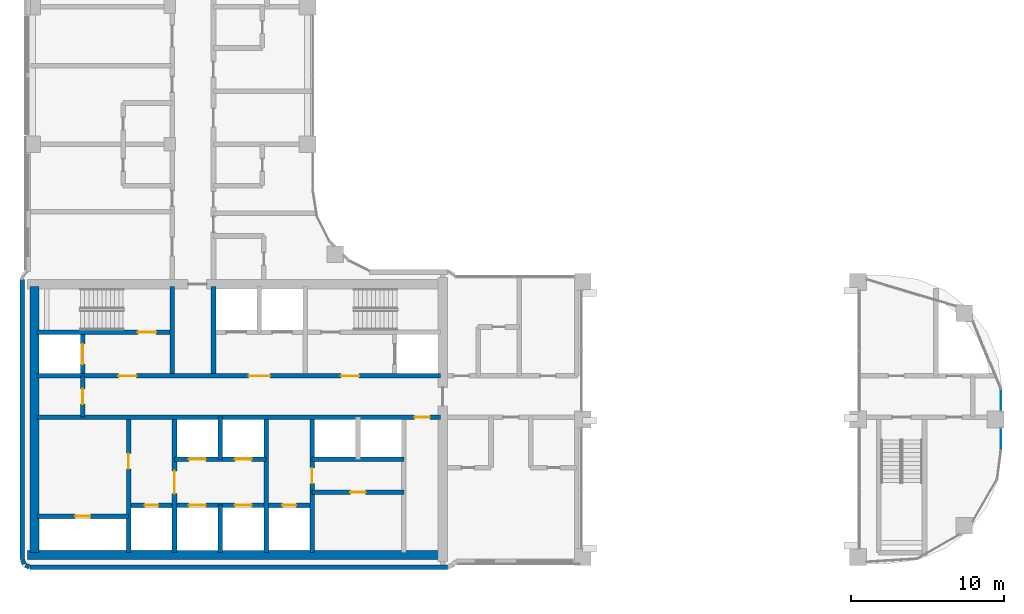
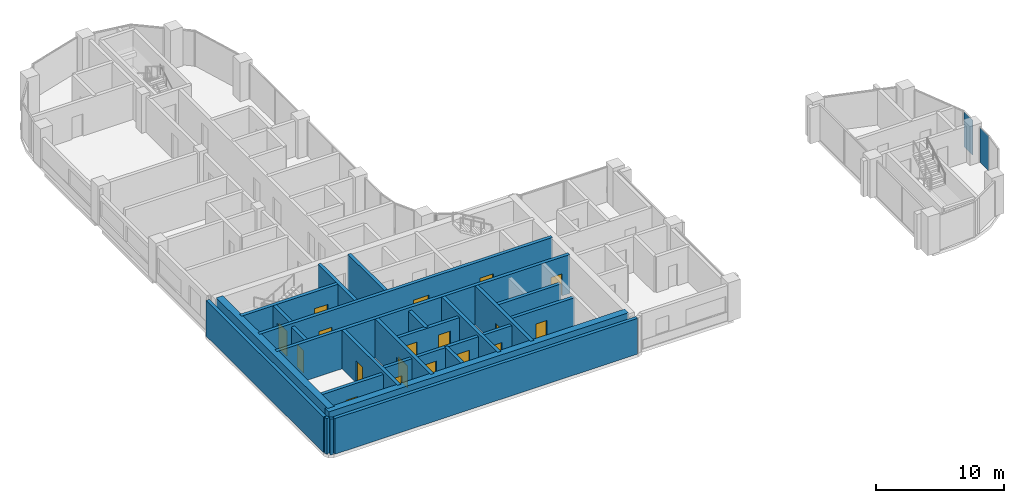
# One storey, part 10 of 21: 24 walls, 18 doors, 2 plates, 18 openings, 2 elements without a shape of their own.
"""IFC4 building model written with IfcOpenShell, lengths in metres."""

from ifc_helpers import new_model, si_unit, direction, frame, frame_2d, origin, origin_2d, place, context, subcontext, project, spatial, rectangle, extrude, material, layer, layer_set, type_object, element, fill, aggregate, save


model = new_model("IFC4")

# Units and contexts
model_context = context("Model", 3, precision=1e-05, world=origin(), true_north=direction((0.0, 1.0)))
body_context = subcontext(model_context, "Body", "Model", "MODEL_VIEW")
ifc_project = project(units=[si_unit("LENGTHUNIT", "METRE"), si_unit("AREAUNIT", "SQUARE_METRE"), si_unit("VOLUMEUNIT", "CUBIC_METRE"), si_unit("PLANEANGLEUNIT", "RADIAN"), si_unit("MASSUNIT", "GRAM", prefix="KILO")], contexts=[model_context])

# Site, building, storey
site_placement = place(None, origin())
site = spatial("IfcSite", under=ifc_project, at=site_placement, CompositionType="ELEMENT")
building_placement = place(site_placement, origin())
building = spatial("IfcBuilding", under=site, at=building_placement, Name="Ogive Portal Towers", CompositionType="ELEMENT")
storey_placement = place(building_placement, frame((0.0, 0.0, 157.0)))
storey = spatial("IfcBuildingStorey", under=building, at=storey_placement, Name="L38", CompositionType="ELEMENT", Elevation=157.0)

# Curtain wall, plate
ifc_material_1 = material(Name="Glass, clear low-iron insulated glazing", Category="glass")
curtain_wall_type = type_object("IfcCurtainWallType", Name="CW FRONT RIBBON 4500", PredefinedType="NOTDEFINED", material=ifc_material_1)
curtain_wall_1_placement = place(storey_placement, origin())
curtain_wall_1 = element("IfcCurtainWall", 1, at=curtain_wall_1_placement, inside=storey, type_object=curtain_wall_type, Name="A:L38:f29:cw0~0", PredefinedType="NOTDEFINED")
ifc_layer_1 = layer(ifc_material_1, 0.028076171875)
ifc_layer_set_1 = layer_set([ifc_layer_1], Name="CW PANEL IGU 28")
plate_type = type_object("IfcPlateType", Name="CW PANEL IGU 28", PredefinedType="CURTAIN_PANEL", material=ifc_layer_set_1)
plate_1_placement = place(storey_placement, frame((94.844970703125, 29.2275390625, 0.0), z_axis=(0.0, 0.0, 1.0), x_axis=(0.0, 1.0, 0.0)))
plate_1 = element("IfcPlate", 2, at=plate_1_placement, type_object=plate_type, Name="panel", PredefinedType="CURTAIN_PANEL", context=body_context, shape_type="SweptSolid", body=[
    extrude(rectangle(XDim=1.384765625, YDim=0.028076171875, at=origin_2d()), origin(), (0.0, 0.0, 1.0), 3.340087890625),
])
aggregate(curtain_wall_1, [plate_1])

curtain_wall_2_placement = place(storey_placement, origin())
curtain_wall_2 = element("IfcCurtainWall", 3, at=curtain_wall_2_placement, inside=storey, type_object=curtain_wall_type, Name="A:L38:f29:cw0~1", PredefinedType="NOTDEFINED")
plate_2_placement = place(storey_placement, frame((94.844970703125, 31.76708984375, 0.0), z_axis=(0.0, 0.0, 1.0), x_axis=(0.0, 1.0, 0.0)))
plate_2 = element("IfcPlate", 4, at=plate_2_placement, type_object=plate_type, Name="panel", PredefinedType="CURTAIN_PANEL", context=body_context, shape_type="SweptSolid", body=[
    extrude(rectangle(XDim=1.3740234375, YDim=0.028076171875, at=origin_2d()), origin(), (0.0, 0.0, 1.0), 3.340087890625),
])
aggregate(curtain_wall_2, [plate_2])

# Wall, opening, door
ifc_material_2 = material(Name="Concrete C60/75", Category="concrete")
ifc_layer_2 = layer(ifc_material_2, 0.300048828125)
ifc_layer_set_2 = layer_set([ifc_layer_2], Name="CORE WALL 300 C60")
wall_type_1 = type_object("IfcWallType", Name="CORE WALL 300 C60", PredefinedType="SHEAR", material=ifc_layer_set_2)
wall_1_placement = place(storey_placement, frame((37.800048828125, 21.800048828125, 0.0), z_axis=(0.0, 0.0, 1.0), x_axis=(0.0, 1.0, 0.0)))
wall_1 = element("IfcWall", 5, at=wall_1_placement, inside=storey, type_object=wall_type_1, Name="Core wall X1 L38", PredefinedType="SHEAR", context=body_context, shape_type="SweptSolid", body=[
    extrude(rectangle(XDim=8.699951171875, YDim=0.300048828125, at=frame_2d((4.35009765625, 0.0))), origin(), (0.0, 0.0, 1.0), 3.699951171875),
])
opening_1_placement = place(wall_1_placement, frame((5.47509765625, 0.0, 0.0)))
opening_1 = element("IfcOpeningElement", 6, at=opening_1_placement, cuts=wall_1, Name="Opening D15-020", PredefinedType="OPENING", context=body_context, shape_type="SweptSolid", body=[
    extrude(rectangle(XDim=1.0, YDim=2.10009765625, at=frame_2d((0.5, 1.050048828125))), frame((0.0, 0.16015625, 0.0), z_axis=(0.0, -1.0, 0.0), x_axis=(1.0, 0.0, 0.0)), (0.0, 0.0, 1.0), 0.320068359375),
])
ifc_material_3 = material(Name="Steel fire door", Category="steel")
door_type_1 = type_object("IfcDoorType", Name="DT-SWING-1000x2100-FD90S", OperationType="SINGLE_SWING_LEFT", PredefinedType="DOOR", material=ifc_material_3)
door_1_placement = place(opening_1_placement, origin())
door_1 = element("IfcDoor", 7, at=door_1_placement, inside=storey, type_object=door_type_1, Name="Door D15-020", OperationType="SINGLE_SWING_LEFT", OverallHeight=2.10009765625, OverallWidth=1.0, PredefinedType="DOOR", context=body_context, shape_type="SweptSolid", body=[
    extrude(rectangle(XDim=1.0, YDim=2.10009765625, at=frame_2d((0.5, 1.050048828125))), frame((0.0, 0.02490234375, 0.0), z_axis=(0.0, -1.0, 0.0), x_axis=(1.0, 0.0, 0.0)), (0.0, 0.0, 1.0), 0.050048828125),
])
fill(opening_1, door_1)

wall_2_placement = place(storey_placement, frame((40.800048828125, 21.800048828125, 0.0), z_axis=(0.0, 0.0, 1.0), x_axis=(0.0, 1.0, 0.0)))
wall_2 = element("IfcWall", 8, at=wall_2_placement, inside=storey, type_object=wall_type_1, Name="Core wall X2 L38", PredefinedType="SHEAR", context=body_context, shape_type="SweptSolid", body=[
    extrude(rectangle(XDim=8.699951171875, YDim=0.300048828125, at=frame_2d((4.35009765625, 0.0))), origin(), (0.0, 0.0, 1.0), 3.699951171875),
])
opening_2_placement = place(wall_2_placement, frame((3.85009765625, 0.0, 0.0)))
opening_2 = element("IfcOpeningElement", 9, at=opening_2_placement, cuts=wall_2, Name="Opening D15-001", PredefinedType="OPENING", context=body_context, shape_type="SweptSolid", body=[
    extrude(rectangle(XDim=1.5, YDim=2.10009765625, at=frame_2d((0.75, 1.050048828125))), frame((0.0, 0.16015625, 0.0), z_axis=(0.0, -1.0, 0.0), x_axis=(1.0, 0.0, 0.0)), (0.0, 0.0, 1.0), 0.320068359375),
])
door_type_2 = type_object("IfcDoorType", Name="DT-SWING-1500x2100-FD90S", OperationType="SINGLE_SWING_LEFT", PredefinedType="DOOR", material=ifc_material_3)
door_2_placement = place(opening_2_placement, origin())
door_2 = element("IfcDoor", 10, at=door_2_placement, inside=storey, type_object=door_type_2, Name="Door D15-001", OperationType="SINGLE_SWING_RIGHT", OverallHeight=2.10009765625, OverallWidth=1.5, PredefinedType="DOOR", context=body_context, shape_type="SweptSolid", body=[
    extrude(rectangle(XDim=1.5, YDim=2.10009765625, at=frame_2d((0.75, 1.050048828125))), frame((0.0, 0.02490234375, 0.0), z_axis=(0.0, -1.0, 0.0), x_axis=(1.0, 0.0, 0.0)), (0.0, 0.0, 1.0), 0.050048828125),
])
fill(opening_2, door_2)

# Wall
wall_3_placement = place(storey_placement, frame((46.800048828125, 21.800048828125, 0.0), z_axis=(0.0, 0.0, 1.0), x_axis=(0.0, 1.0, 0.0)))
element("IfcWall", 11, at=wall_3_placement, inside=storey, type_object=wall_type_1, Name="Core wall X3 L38", PredefinedType="SHEAR", context=body_context, shape_type="SweptSolid", body=[
    extrude(rectangle(XDim=8.699951171875, YDim=0.300048828125, at=frame_2d((4.35009765625, 0.0))), origin(), (0.0, 0.0, 1.0), 3.699951171875),
])

# Wall, opening, door
wall_4_placement = place(storey_placement, frame((49.800048828125, 21.800048828125, 0.0), z_axis=(0.0, 0.0, 1.0), x_axis=(0.0, 1.0, 0.0)))
wall_4 = element("IfcWall", 12, at=wall_4_placement, inside=storey, type_object=wall_type_1, Name="Core wall X4 L38", PredefinedType="SHEAR", context=body_context, shape_type="SweptSolid", body=[
    extrude(rectangle(XDim=8.699951171875, YDim=0.300048828125, at=frame_2d((4.35009765625, 0.0))), origin(), (0.0, 0.0, 1.0), 3.699951171875),
])
opening_3_placement = place(wall_4_placement, frame((4.52490234375, 0.0, 0.0)))
opening_3 = element("IfcOpeningElement", 13, at=opening_3_placement, cuts=wall_4, Name="Opening D15-022", PredefinedType="OPENING", context=body_context, shape_type="SweptSolid", body=[
    extrude(rectangle(XDim=1.0, YDim=2.10009765625, at=frame_2d((0.5, 1.050048828125))), frame((0.0, 0.16015625, 0.0), z_axis=(0.0, -1.0, 0.0), x_axis=(1.0, 0.0, 0.0)), (0.0, 0.0, 1.0), 0.320068359375),
])
door_3_placement = place(opening_3_placement, origin())
door_3 = element("IfcDoor", 14, at=door_3_placement, inside=storey, type_object=door_type_1, Name="Door D15-022", OperationType="SINGLE_SWING_LEFT", OverallHeight=2.10009765625, OverallWidth=1.0, PredefinedType="DOOR", context=body_context, shape_type="SweptSolid", body=[
    extrude(rectangle(XDim=1.0, YDim=2.10009765625, at=frame_2d((0.5, 1.050048828125))), frame((0.0, 0.02490234375, 0.0), z_axis=(0.0, -1.0, 0.0), x_axis=(1.0, 0.0, 0.0)), (0.0, 0.0, 1.0), 0.050048828125),
])
fill(opening_3, door_3)

wall_5_placement = place(storey_placement, frame((31.800048828125, 30.64990234375, 0.0), z_axis=(0.0, 0.0, 1.0), x_axis=(1.0, 0.0, 0.0)))
wall_5 = element("IfcWall", 15, at=wall_5_placement, inside=storey, type_object=wall_type_1, Name="Core wall Y1 L38", PredefinedType="SHEAR", context=body_context, shape_type="SweptSolid", body=[
    extrude(rectangle(XDim=26.39990234375, YDim=0.300048828125, at=frame_2d((13.199951171875, 0.0))), origin(), (0.0, 0.0, 1.0), 3.699951171875),
])
opening_4_placement = place(wall_5_placement, frame((24.699951171875, 0.0, 0.0)))
opening_4 = element("IfcOpeningElement", 16, at=opening_4_placement, cuts=wall_5, Name="Opening D15-009", PredefinedType="OPENING", context=body_context, shape_type="SweptSolid", body=[
    extrude(rectangle(XDim=1.0, YDim=2.10009765625, at=frame_2d((0.5, 1.050048828125))), frame((0.0, 0.16015625, 0.0), z_axis=(0.0, -1.0, 0.0), x_axis=(1.0, 0.0, 0.0)), (0.0, 0.0, 1.0), 0.320068359375),
])
door_4_placement = place(opening_4_placement, origin())
door_4 = element("IfcDoor", 17, at=door_4_placement, inside=storey, type_object=door_type_1, Name="Door D15-009", OperationType="SINGLE_SWING_LEFT", OverallHeight=2.10009765625, OverallWidth=1.0, PredefinedType="DOOR", context=body_context, shape_type="SweptSolid", body=[
    extrude(rectangle(XDim=1.0, YDim=2.10009765625, at=frame_2d((0.5, 1.050048828125))), frame((0.0, 0.02490234375, 0.0), z_axis=(0.0, -1.0, 0.0), x_axis=(1.0, 0.0, 0.0)), (0.0, 0.0, 1.0), 0.050048828125),
])
fill(opening_4, door_4)

# Wall, openings, doors
wall_6_placement = place(storey_placement, frame((31.800048828125, 33.35009765625, 0.0), z_axis=(0.0, 0.0, 1.0), x_axis=(1.0, 0.0, 0.0)))
wall_6 = element("IfcWall", 18, at=wall_6_placement, inside=storey, type_object=wall_type_1, Name="Core wall Y2 L38", PredefinedType="SHEAR", context=body_context, shape_type="SweptSolid", body=[
    extrude(rectangle(XDim=26.39990234375, YDim=0.300048828125, at=frame_2d((13.199951171875, 0.0))), origin(), (0.0, 0.0, 1.0), 3.699951171875),
])
opening_5_placement = place(wall_6_placement, frame((13.85009765625, 0.0, 0.0)))
opening_5 = element("IfcOpeningElement", 19, at=opening_5_placement, cuts=wall_6, Name="Opening D15-002", PredefinedType="OPENING", context=body_context, shape_type="SweptSolid", body=[
    extrude(rectangle(XDim=1.39990234375, YDim=2.10009765625, at=frame_2d((0.699951171875, 1.050048828125))), frame((0.0, 0.16015625, 0.0), z_axis=(0.0, -1.0, 0.0), x_axis=(1.0, 0.0, 0.0)), (0.0, 0.0, 1.0), 0.320068359375),
])
opening_6_placement = place(wall_6_placement, frame((5.324951171875, 0.0, 0.0)))
opening_6 = element("IfcOpeningElement", 20, at=opening_6_placement, cuts=wall_6, Name="Opening D15-003", PredefinedType="OPENING", context=body_context, shape_type="SweptSolid", body=[
    extrude(rectangle(XDim=1.199951171875, YDim=2.10009765625, at=frame_2d((0.60009765625, 1.050048828125))), frame((0.0, 0.16015625, 0.0), z_axis=(0.0, -1.0, 0.0), x_axis=(1.0, 0.0, 0.0)), (0.0, 0.0, 1.0), 0.320068359375),
])
opening_7_placement = place(wall_6_placement, frame((19.875, 0.0, 0.0)))
opening_7 = element("IfcOpeningElement", 21, at=opening_7_placement, cuts=wall_6, Name="Opening D15-004", PredefinedType="OPENING", context=body_context, shape_type="SweptSolid", body=[
    extrude(rectangle(XDim=1.199951171875, YDim=2.10009765625, at=frame_2d((0.60009765625, 1.050048828125))), frame((0.0, 0.16015625, 0.0), z_axis=(0.0, -1.0, 0.0), x_axis=(1.0, 0.0, 0.0)), (0.0, 0.0, 1.0), 0.320068359375),
])
door_type_3 = type_object("IfcDoorType", Name="DT-SWING-1200x2100-FD90S", OperationType="SINGLE_SWING_LEFT", PredefinedType="DOOR", material=ifc_material_3)
door_5_placement = place(opening_6_placement, origin())
door_5 = element("IfcDoor", 22, at=door_5_placement, inside=storey, type_object=door_type_3, Name="Door D15-003", OperationType="SINGLE_SWING_LEFT", OverallHeight=2.10009765625, OverallWidth=1.199951171875, PredefinedType="DOOR", context=body_context, shape_type="SweptSolid", body=[
    extrude(rectangle(XDim=1.199951171875, YDim=2.10009765625, at=frame_2d((0.60009765625, 1.050048828125))), frame((0.0, 0.02490234375, 0.0), z_axis=(0.0, -1.0, 0.0), x_axis=(1.0, 0.0, 0.0)), (0.0, 0.0, 1.0), 0.050048828125),
])
fill(opening_6, door_5)
door_6_placement = place(opening_7_placement, origin())
door_6 = element("IfcDoor", 23, at=door_6_placement, inside=storey, type_object=door_type_3, Name="Door D15-004", OperationType="SINGLE_SWING_RIGHT", OverallHeight=2.10009765625, OverallWidth=1.199951171875, PredefinedType="DOOR", context=body_context, shape_type="SweptSolid", body=[
    extrude(rectangle(XDim=1.199951171875, YDim=2.10009765625, at=frame_2d((0.60009765625, 1.050048828125))), frame((0.0, 0.02490234375, 0.0), z_axis=(0.0, -1.0, 0.0), x_axis=(1.0, 0.0, 0.0)), (0.0, 0.0, 1.0), 0.050048828125),
])
fill(opening_7, door_6)
door_type_4 = type_object("IfcDoorType", Name="DT-SWING-1400x2100-FD90S", OperationType="SINGLE_SWING_LEFT", PredefinedType="DOOR", material=ifc_material_3)
door_7_placement = place(opening_5_placement, origin())
door_7 = element("IfcDoor", 24, at=door_7_placement, inside=storey, type_object=door_type_4, Name="Door D15-002", OperationType="SINGLE_SWING_RIGHT", OverallHeight=2.10009765625, OverallWidth=1.39990234375, PredefinedType="DOOR", context=body_context, shape_type="SweptSolid", body=[
    extrude(rectangle(XDim=1.39990234375, YDim=2.10009765625, at=frame_2d((0.699951171875, 1.050048828125))), frame((0.0, 0.02490234375, 0.0), z_axis=(0.0, -1.0, 0.0), x_axis=(1.0, 0.0, 0.0)), (0.0, 0.0, 1.0), 0.050048828125),
])
fill(opening_5, door_7)

# Wall, opening, door
wall_7_placement = place(storey_placement, frame((31.800048828125, 36.199951171875, 0.0), z_axis=(0.0, 0.0, 1.0), x_axis=(1.0, 0.0, 0.0)))
wall_7 = element("IfcWall", 25, at=wall_7_placement, inside=storey, type_object=wall_type_1, Name="Core wall Y3a L38", PredefinedType="SHEAR", context=body_context, shape_type="SweptSolid", body=[
    extrude(rectangle(XDim=8.699951171875, YDim=0.300048828125, at=frame_2d((4.35009765625, 0.0))), origin(), (0.0, 0.0, 1.0), 3.699951171875),
])
opening_8_placement = place(wall_7_placement, frame((6.60009765625, 0.0, 0.0)))
opening_8 = element("IfcOpeningElement", 26, at=opening_8_placement, cuts=wall_7, Name="Opening D15-005", PredefinedType="OPENING", context=body_context, shape_type="SweptSolid", body=[
    extrude(rectangle(XDim=1.199951171875, YDim=2.10009765625, at=frame_2d((0.60009765625, 1.050048828125))), frame((0.0, 0.16015625, 0.0), z_axis=(0.0, -1.0, 0.0), x_axis=(1.0, 0.0, 0.0)), (0.0, 0.0, 1.0), 0.320068359375),
])
door_8_placement = place(opening_8_placement, origin())
door_8 = element("IfcDoor", 27, at=door_8_placement, inside=storey, type_object=door_type_3, Name="Door D15-005", OperationType="SINGLE_SWING_RIGHT", OverallHeight=2.10009765625, OverallWidth=1.199951171875, PredefinedType="DOOR", context=body_context, shape_type="SweptSolid", body=[
    extrude(rectangle(XDim=1.199951171875, YDim=2.10009765625, at=frame_2d((0.60009765625, 1.050048828125))), frame((0.0, 0.02490234375, 0.0), z_axis=(0.0, -1.0, 0.0), x_axis=(1.0, 0.0, 0.0)), (0.0, 0.0, 1.0), 0.050048828125),
])
fill(opening_8, door_8)

# Walls
for number, where, z_axis, x_axis, name in (
    (28, (40.64990234375, 33.5, 0.0), (0.0, 0.0, 1.0), (0.0, 1.0, 0.0), "Core wall X6 L38"),
    (29, (43.35009765625, 33.5, 0.0), (0.0, 0.0, 1.0), (0.0, 1.0, 0.0), "Core wall X7 L38"),
):
    element("IfcWall", number, at=place(storey_placement, frame(where, z_axis=z_axis, x_axis=x_axis)), inside=storey, type_object=wall_type_1, Name=name, PredefinedType="SHEAR", context=body_context, shape_type="SweptSolid", body=[
        extrude(rectangle(XDim=5.699951171875, YDim=0.300048828125, at=frame_2d((2.85009765625, 0.0))), origin(), (0.0, 0.0, 1.0), 3.699951171875),
    ])

# Wall, opening, door
wall_8_placement = place(storey_placement, frame((34.800048828125, 33.5, 0.0), z_axis=(0.0, 0.0, 1.0), x_axis=(0.0, 1.0, 0.0)))
wall_8 = element("IfcWall", 30, at=wall_8_placement, inside=storey, type_object=wall_type_1, Name="Core wall X8 L38", PredefinedType="SHEAR", context=body_context, shape_type="SweptSolid", body=[
    extrude(rectangle(XDim=2.550048828125, YDim=0.300048828125, at=frame_2d((1.27490234375, 0.0))), origin(), (0.0, 0.0, 1.0), 3.699951171875),
])
opening_9_placement = place(wall_8_placement, frame((0.625, 0.0, 0.0)))
opening_9 = element("IfcOpeningElement", 31, at=opening_9_placement, cuts=wall_8, Name="Opening D15-018", PredefinedType="OPENING", context=body_context, shape_type="SweptSolid", body=[
    extrude(rectangle(XDim=1.300048828125, YDim=2.39990234375, at=frame_2d((0.64990234375, 1.199951171875))), frame((0.0, 0.16015625, 0.0), z_axis=(0.0, -1.0, 0.0), x_axis=(1.0, 0.0, 0.0)), (0.0, 0.0, 1.0), 0.320068359375),
])
ifc_material_4 = material(Name="Stainless steel", Category="steel")
door_type_5 = type_object("IfcDoorType", Name="DT-LD-1300x2400", OperationType="SLIDING_TO_LEFT", PredefinedType="DOOR", material=ifc_material_4)
door_9_placement = place(opening_9_placement, origin())
door_9 = element("IfcDoor", 32, at=door_9_placement, inside=storey, type_object=door_type_5, Name="Door D15-018", OperationType="SLIDING_TO_LEFT", OverallHeight=2.39990234375, OverallWidth=1.300048828125, PredefinedType="DOOR", context=body_context, shape_type="SweptSolid", body=[
    extrude(rectangle(XDim=1.300048828125, YDim=2.39990234375, at=frame_2d((0.64990234375, 1.199951171875))), frame((0.0, 0.02490234375, 0.0), z_axis=(0.0, -1.0, 0.0), x_axis=(1.0, 0.0, 0.0)), (0.0, 0.0, 1.0), 0.050048828125),
])
fill(opening_9, door_9)

# Walls
ifc_layer_3 = layer(ifc_material_2, 0.60009765625)
ifc_layer_set_3 = layer_set([ifc_layer_3], Name="CORE WALL 600 C60")
wall_type_2 = type_object("IfcWallType", Name="CORE WALL 600 C60", PredefinedType="SHEAR", material=ifc_layer_set_3)
wall_9_placement = place(storey_placement, frame((31.64990234375, 21.800048828125, 0.0), z_axis=(0.0, 0.0, 1.0), x_axis=(0.0, 1.0, 0.0)))
element("IfcWall", 33, at=wall_9_placement, inside=storey, type_object=wall_type_2, Name="Core wall W L38", PredefinedType="SHEAR", context=body_context, shape_type="SweptSolid", body=[
    extrude(rectangle(XDim=17.39990234375, YDim=0.60009765625, at=frame_2d((8.699951171875, 0.0))), origin(), (0.0, 0.0, 1.0), 3.699951171875),
])
wall_10_placement = place(storey_placement, frame((31.199951171875, 21.64990234375, 0.0), z_axis=(0.0, 0.0, 1.0), x_axis=(1.0, 0.0, 0.0)))
element("IfcWall", 34, at=wall_10_placement, inside=storey, type_object=wall_type_2, Name="Core wall S L38", PredefinedType="SHEAR", context=body_context, shape_type="SweptSolid", body=[
    extrude(rectangle(XDim=27.0, YDim=0.60009765625, at=frame_2d((13.5, 0.0))), origin(), (0.0, 0.0, 1.0), 3.699951171875),
])
ifc_material_5 = material(Name="Limestone cladding on lightweight block wall", Category="masonry")
ifc_layer_4 = layer(ifc_material_5, 0.300048828125)
ifc_layer_set_4 = layer_set([ifc_layer_4], Name="EXTERNAL WALL 300 STONE")
wall_type_3 = type_object("IfcWallType", Name="EXTERNAL WALL 300 STONE", PredefinedType="SOLIDWALL", material=ifc_layer_set_4)
wall_11_placement = place(storey_placement, frame((30.85009765625, 39.673583984375, 0.0), z_axis=(0.0, 0.0, 1.0), x_axis=(0.0, -1.0, 0.0)))
element("IfcWall", 35, at=wall_11_placement, inside=storey, type_object=wall_type_3, Name="A:L38:f15:r0:wall", PredefinedType="SOLIDWALL", context=body_context, shape_type="SweptSolid", body=[
    extrude(rectangle(XDim=18.31396484375, YDim=0.300048828125, at=frame_2d((9.156982421875, 0.0))), origin(), (0.0, 0.0, 1.0), 3.39990234375),
])
for number, where, z_axis, x_axis, name in (
    (36, (30.861328125, 21.30224609375, 0.0), (0.0, 0.0, 1.0), (0.38297812142, -0.923757413239, 0.0), "A:L38:f16:r0:wall"),
    (37, (31.0478515625, 20.966796875, 0.0), (0.0, 0.0, 1.0), (0.923757413239, -0.38297812142, 0.0), "A:L38:f17:r0:wall"),
):
    element("IfcWall", number, at=place(storey_placement, frame(where, z_axis=z_axis, x_axis=x_axis)), inside=storey, type_object=wall_type_3, Name=name, PredefinedType="SOLIDWALL", context=body_context, shape_type="SweptSolid", body=[
        extrude(rectangle(XDim=0.275390625, YDim=0.300048828125, at=frame_2d((0.1376953125, 0.0))), origin(), (0.0, 0.0, 1.0), 3.39990234375),
    ])
wall_12_placement = place(storey_placement, frame((31.359619140625, 20.85009765625, 0.0), z_axis=(0.0, 0.0, 1.0), x_axis=(1.0, 0.0, 0.0)))
element("IfcWall", 38, at=wall_12_placement, inside=storey, type_object=wall_type_3, Name="A:L38:f18:r0:wall", PredefinedType="SOLIDWALL", context=body_context, shape_type="SweptSolid", body=[
    extrude(rectangle(XDim=27.28076171875, YDim=0.300048828125, at=frame_2d((13.640380859375, 0.0))), origin(), (0.0, 0.0, 1.0), 3.39990234375),
])

# Wall, opening, door
ifc_material_6 = material(Name="Gypsum board partition on steel studs", Category="steel")
ifc_layer_5 = layer(ifc_material_6, 0.300048828125)
ifc_layer_set_5 = layer_set([ifc_layer_5], Name="WT-PART-300")
wall_type_4 = type_object("IfcWallType", Name="WT-PART-300", PredefinedType="PARTITIONING", material=ifc_layer_set_5)
wall_13_placement = place(storey_placement, frame((31.800048828125, 24.173095703125, 0.0), z_axis=(0.0, 0.0, 1.0), x_axis=(1.0, 0.0, 0.0)))
wall_13 = element("IfcWall", 39, at=wall_13_placement, inside=storey, type_object=wall_type_4, Name="Wall pw:001:L38", PredefinedType="PARTITIONING", context=body_context, shape_type="SweptSolid", body=[
    extrude(rectangle(XDim=6.0, YDim=0.300048828125, at=frame_2d((3.0, 0.0))), origin(), (0.0, 0.0, 1.0), 3.39990234375),
])
opening_10_placement = place(wall_13_placement, frame((2.5, 0.0, 0.0)))
opening_10 = element("IfcOpeningElement", 40, at=opening_10_placement, cuts=wall_13, Name="Opening D15-021", PredefinedType="OPENING", context=body_context, shape_type="SweptSolid", body=[
    extrude(rectangle(XDim=1.0, YDim=2.10009765625, at=frame_2d((0.5, 1.050048828125))), frame((0.0, 0.16015625, 0.0), z_axis=(0.0, -1.0, 0.0), x_axis=(1.0, 0.0, 0.0)), (0.0, 0.0, 1.0), 0.320068359375),
])
door_type_6 = type_object("IfcDoorType", Name="DT-SWING-1000x2100-FD60S", OperationType="SINGLE_SWING_LEFT", PredefinedType="DOOR", material=ifc_material_3)
door_10_placement = place(opening_10_placement, origin())
door_10 = element("IfcDoor", 41, at=door_10_placement, inside=storey, type_object=door_type_6, Name="Riser access door D15-021", OperationType="SINGLE_SWING_RIGHT", OverallHeight=2.10009765625, OverallWidth=1.0, PredefinedType="DOOR", context=body_context, shape_type="SweptSolid", body=[
    extrude(rectangle(XDim=1.0, YDim=2.10009765625, at=frame_2d((0.5, 1.050048828125))), frame((0.0, 0.02490234375, 0.0), z_axis=(0.0, -1.0, 0.0), x_axis=(1.0, 0.0, 0.0)), (0.0, 0.0, 1.0), 0.050048828125),
])
fill(opening_10, door_10)

wall_14_placement = place(storey_placement, frame((49.800048828125, 25.75, 0.0), z_axis=(0.0, 0.0, 1.0), x_axis=(1.0, 0.0, 0.0)))
wall_14 = element("IfcWall", 42, at=wall_14_placement, inside=storey, type_object=wall_type_4, Name="Wall pw:003:L38", PredefinedType="PARTITIONING", context=body_context, shape_type="SweptSolid", body=[
    extrude(rectangle(XDim=6.0, YDim=0.300048828125, at=frame_2d((3.0, 0.0))), origin(), (0.0, 0.0, 1.0), 3.39990234375),
])
opening_11_placement = place(wall_14_placement, frame((2.5, 0.0, 0.0)))
opening_11 = element("IfcOpeningElement", 43, at=opening_11_placement, cuts=wall_14, Name="Opening D15-023", PredefinedType="OPENING", context=body_context, shape_type="SweptSolid", body=[
    extrude(rectangle(XDim=1.0, YDim=2.10009765625, at=frame_2d((0.5, 1.050048828125))), frame((0.0, 0.16015625, 0.0), z_axis=(0.0, -1.0, 0.0), x_axis=(1.0, 0.0, 0.0)), (0.0, 0.0, 1.0), 0.320068359375),
])
door_11_placement = place(opening_11_placement, origin())
door_11 = element("IfcDoor", 44, at=door_11_placement, inside=storey, type_object=door_type_6, Name="Door D15-023", OperationType="SINGLE_SWING_RIGHT", OverallHeight=2.10009765625, OverallWidth=1.0, PredefinedType="DOOR", context=body_context, shape_type="SweptSolid", body=[
    extrude(rectangle(XDim=1.0, YDim=2.10009765625, at=frame_2d((0.5, 1.050048828125))), frame((0.0, 0.02490234375, 0.0), z_axis=(0.0, -1.0, 0.0), x_axis=(1.0, 0.0, 0.0)), (0.0, 0.0, 1.0), 0.050048828125),
])
fill(opening_11, door_11)

# Wall, openings, doors
ifc_material_7 = material(Name="Concrete C40/50", Category="concrete")
ifc_layer_6 = layer(ifc_material_7, 0.300048828125)
ifc_layer_set_6 = layer_set([ifc_layer_6], Name="WT-SHAFT-300")
wall_type_5 = type_object("IfcWallType", Name="WT-SHAFT-300", PredefinedType="SOLIDWALL", material=ifc_layer_set_6)
wall_15_placement = place(storey_placement, frame((37.800048828125, 24.89990234375, 0.0), z_axis=(0.0, 0.0, 1.0), x_axis=(1.0, 0.0, 0.0)))
wall_15 = element("IfcWall", 45, at=wall_15_placement, inside=storey, type_object=wall_type_5, Name="Wall pw:002:L38", PredefinedType="SOLIDWALL", context=body_context, shape_type="SweptSolid", body=[
    extrude(rectangle(XDim=12.0, YDim=0.300048828125, at=frame_2d((6.0, 0.0))), origin(), (0.0, 0.0, 1.0), 3.39990234375),
])
opening_12_placement = place(wall_15_placement, frame((1.050048828125, 0.0, 0.0)))
opening_12 = element("IfcOpeningElement", 46, at=opening_12_placement, cuts=wall_15, Name="Opening D15-007", PredefinedType="OPENING", context=body_context, shape_type="SweptSolid", body=[
    extrude(rectangle(XDim=0.89990234375, YDim=2.10009765625, at=frame_2d((0.449951171875, 1.050048828125))), frame((0.0, 0.16015625, 0.0), z_axis=(0.0, -1.0, 0.0), x_axis=(1.0, 0.0, 0.0)), (0.0, 0.0, 1.0), 0.320068359375),
])
opening_13_placement = place(wall_15_placement, frame((10.050048828125, 0.0, 0.0)))
opening_13 = element("IfcOpeningElement", 47, at=opening_13_placement, cuts=wall_15, Name="Opening D15-008", PredefinedType="OPENING", context=body_context, shape_type="SweptSolid", body=[
    extrude(rectangle(XDim=0.89990234375, YDim=2.10009765625, at=frame_2d((0.449951171875, 1.050048828125))), frame((0.0, 0.16015625, 0.0), z_axis=(0.0, -1.0, 0.0), x_axis=(1.0, 0.0, 0.0)), (0.0, 0.0, 1.0), 0.320068359375),
])
opening_14_placement = place(wall_15_placement, frame((3.949951171875, 0.0, 0.0)))
opening_14 = element("IfcOpeningElement", 48, at=opening_14_placement, cuts=wall_15, Name="Opening D15-012", PredefinedType="OPENING", context=body_context, shape_type="SweptSolid", body=[
    extrude(rectangle(XDim=1.10009765625, YDim=2.39990234375, at=frame_2d((0.550048828125, 1.199951171875))), frame((0.0, 0.16015625, 0.0), z_axis=(0.0, -1.0, 0.0), x_axis=(1.0, 0.0, 0.0)), (0.0, 0.0, 1.0), 0.320068359375),
])
opening_15_placement = place(wall_15_placement, frame((6.949951171875, 0.0, 0.0)))
opening_15 = element("IfcOpeningElement", 49, at=opening_15_placement, cuts=wall_15, Name="Opening D15-013", PredefinedType="OPENING", context=body_context, shape_type="SweptSolid", body=[
    extrude(rectangle(XDim=1.10009765625, YDim=2.39990234375, at=frame_2d((0.550048828125, 1.199951171875))), frame((0.0, 0.16015625, 0.0), z_axis=(0.0, -1.0, 0.0), x_axis=(1.0, 0.0, 0.0)), (0.0, 0.0, 1.0), 0.320068359375),
])
door_type_7 = type_object("IfcDoorType", Name="DT-LD-1100x2400", OperationType="SLIDING_TO_LEFT", PredefinedType="DOOR", material=ifc_material_4)
door_12_placement = place(opening_14_placement, origin())
door_12 = element("IfcDoor", 50, at=door_12_placement, inside=storey, type_object=door_type_7, Name="Door D15-012", OperationType="SLIDING_TO_LEFT", OverallHeight=2.39990234375, OverallWidth=1.10009765625, PredefinedType="DOOR", context=body_context, shape_type="SweptSolid", body=[
    extrude(rectangle(XDim=1.10009765625, YDim=2.39990234375, at=frame_2d((0.550048828125, 1.199951171875))), frame((0.0, 0.02490234375, 0.0), z_axis=(0.0, -1.0, 0.0), x_axis=(1.0, 0.0, 0.0)), (0.0, 0.0, 1.0), 0.050048828125),
])
fill(opening_14, door_12)
door_13_placement = place(opening_15_placement, origin())
door_13 = element("IfcDoor", 51, at=door_13_placement, inside=storey, type_object=door_type_7, Name="Door D15-013", OperationType="SLIDING_TO_LEFT", OverallHeight=2.39990234375, OverallWidth=1.10009765625, PredefinedType="DOOR", context=body_context, shape_type="SweptSolid", body=[
    extrude(rectangle(XDim=1.10009765625, YDim=2.39990234375, at=frame_2d((0.550048828125, 1.199951171875))), frame((0.0, 0.02490234375, 0.0), z_axis=(0.0, -1.0, 0.0), x_axis=(1.0, 0.0, 0.0)), (0.0, 0.0, 1.0), 0.050048828125),
])
fill(opening_15, door_13)
door_type_8 = type_object("IfcDoorType", Name="DT-SWING-900x2100-FD90S", OperationType="SINGLE_SWING_LEFT", PredefinedType="DOOR", material=ifc_material_3)
door_14_placement = place(opening_12_placement, origin())
door_14 = element("IfcDoor", 52, at=door_14_placement, inside=storey, type_object=door_type_8, Name="Riser access door D15-007", OperationType="SINGLE_SWING_LEFT", OverallHeight=2.10009765625, OverallWidth=0.89990234375, PredefinedType="DOOR", context=body_context, shape_type="SweptSolid", body=[
    extrude(rectangle(XDim=0.89990234375, YDim=2.10009765625, at=frame_2d((0.449951171875, 1.050048828125))), frame((0.0, 0.02490234375, 0.0), z_axis=(0.0, -1.0, 0.0), x_axis=(1.0, 0.0, 0.0)), (0.0, 0.0, 1.0), 0.050048828125),
])
fill(opening_12, door_14)
door_15_placement = place(opening_13_placement, origin())
door_15 = element("IfcDoor", 53, at=door_15_placement, inside=storey, type_object=door_type_8, Name="Riser access door D15-008", OperationType="SINGLE_SWING_RIGHT", OverallHeight=2.10009765625, OverallWidth=0.89990234375, PredefinedType="DOOR", context=body_context, shape_type="SweptSolid", body=[
    extrude(rectangle(XDim=0.89990234375, YDim=2.10009765625, at=frame_2d((0.449951171875, 1.050048828125))), frame((0.0, 0.02490234375, 0.0), z_axis=(0.0, -1.0, 0.0), x_axis=(1.0, 0.0, 0.0)), (0.0, 0.0, 1.0), 0.050048828125),
])
fill(opening_13, door_15)

wall_16_placement = place(storey_placement, frame((40.800048828125, 27.89990234375, 0.0), z_axis=(0.0, 0.0, 1.0), x_axis=(1.0, 0.0, 0.0)))
wall_16 = element("IfcWall", 54, at=wall_16_placement, inside=storey, type_object=wall_type_5, Name="Wall pw:004:L38", PredefinedType="SOLIDWALL", context=body_context, shape_type="SweptSolid", body=[
    extrude(rectangle(XDim=6.0, YDim=0.300048828125, at=frame_2d((3.0, 0.0))), origin(), (0.0, 0.0, 1.0), 3.39990234375),
])
opening_16_placement = place(wall_16_placement, frame((0.949951171875, 0.0, 0.0)))
opening_16 = element("IfcOpeningElement", 55, at=opening_16_placement, cuts=wall_16, Name="Opening D15-014", PredefinedType="OPENING", context=body_context, shape_type="SweptSolid", body=[
    extrude(rectangle(XDim=1.10009765625, YDim=2.39990234375, at=frame_2d((0.550048828125, 1.199951171875))), frame((0.0, 0.16015625, 0.0), z_axis=(0.0, -1.0, 0.0), x_axis=(1.0, 0.0, 0.0)), (0.0, 0.0, 1.0), 0.320068359375),
])
opening_17_placement = place(wall_16_placement, frame((3.949951171875, 0.0, 0.0)))
opening_17 = element("IfcOpeningElement", 56, at=opening_17_placement, cuts=wall_16, Name="Opening D15-015", PredefinedType="OPENING", context=body_context, shape_type="SweptSolid", body=[
    extrude(rectangle(XDim=1.10009765625, YDim=2.39990234375, at=frame_2d((0.550048828125, 1.199951171875))), frame((0.0, 0.16015625, 0.0), z_axis=(0.0, -1.0, 0.0), x_axis=(1.0, 0.0, 0.0)), (0.0, 0.0, 1.0), 0.320068359375),
])
door_16_placement = place(opening_16_placement, origin())
door_16 = element("IfcDoor", 57, at=door_16_placement, inside=storey, type_object=door_type_7, Name="Door D15-014", OperationType="SLIDING_TO_LEFT", OverallHeight=2.39990234375, OverallWidth=1.10009765625, PredefinedType="DOOR", context=body_context, shape_type="SweptSolid", body=[
    extrude(rectangle(XDim=1.10009765625, YDim=2.39990234375, at=frame_2d((0.550048828125, 1.199951171875))), frame((0.0, 0.02490234375, 0.0), z_axis=(0.0, -1.0, 0.0), x_axis=(1.0, 0.0, 0.0)), (0.0, 0.0, 1.0), 0.050048828125),
])
fill(opening_16, door_16)
door_17_placement = place(opening_17_placement, origin())
door_17 = element("IfcDoor", 58, at=door_17_placement, inside=storey, type_object=door_type_7, Name="Door D15-015", OperationType="SLIDING_TO_LEFT", OverallHeight=2.39990234375, OverallWidth=1.10009765625, PredefinedType="DOOR", context=body_context, shape_type="SweptSolid", body=[
    extrude(rectangle(XDim=1.10009765625, YDim=2.39990234375, at=frame_2d((0.550048828125, 1.199951171875))), frame((0.0, 0.02490234375, 0.0), z_axis=(0.0, -1.0, 0.0), x_axis=(1.0, 0.0, 0.0)), (0.0, 0.0, 1.0), 0.050048828125),
])
fill(opening_17, door_17)

# Wall
wall_17_placement = place(storey_placement, frame((49.800048828125, 27.89990234375, 0.0), z_axis=(0.0, 0.0, 1.0), x_axis=(1.0, 0.0, 0.0)))
element("IfcWall", 59, at=wall_17_placement, inside=storey, type_object=wall_type_5, Name="Wall pw:005:L38", PredefinedType="SOLIDWALL", context=body_context, shape_type="SweptSolid", body=[
    extrude(rectangle(XDim=6.0, YDim=0.300048828125, at=frame_2d((3.0, 0.0))), origin(), (0.0, 0.0, 1.0), 3.39990234375),
])

# Wall, opening, door
wall_18_placement = place(storey_placement, frame((34.800048828125, 30.64990234375, 0.0), z_axis=(0.0, 0.0, 1.0), x_axis=(0.0, 1.0, 0.0)))
wall_18 = element("IfcWall", 60, at=wall_18_placement, inside=storey, type_object=wall_type_5, Name="Wall pw:006:L38", PredefinedType="SOLIDWALL", context=body_context, shape_type="SweptSolid", body=[
    extrude(rectangle(XDim=2.7001953125, YDim=0.300048828125, at=frame_2d((1.35009765625, 0.0))), origin(), (0.0, 0.0, 1.0), 3.39990234375),
])
opening_18_placement = place(wall_18_placement, frame((0.85009765625, 0.0, 0.0)))
opening_18 = element("IfcOpeningElement", 61, at=opening_18_placement, cuts=wall_18, Name="Opening D15-024", PredefinedType="OPENING", context=body_context, shape_type="SweptSolid", body=[
    extrude(rectangle(XDim=1.0, YDim=2.10009765625, at=frame_2d((0.5, 1.050048828125))), frame((0.0, 0.16015625, 0.0), z_axis=(0.0, -1.0, 0.0), x_axis=(1.0, 0.0, 0.0)), (0.0, 0.0, 1.0), 0.320068359375),
])
door_18_placement = place(opening_18_placement, origin())
door_18 = element("IfcDoor", 62, at=door_18_placement, inside=storey, type_object=door_type_1, Name="Door D15-024", OperationType="SINGLE_SWING_LEFT", OverallHeight=2.10009765625, OverallWidth=1.0, PredefinedType="DOOR", context=body_context, shape_type="SweptSolid", body=[
    extrude(rectangle(XDim=1.0, YDim=2.10009765625, at=frame_2d((0.5, 1.050048828125))), frame((0.0, 0.02490234375, 0.0), z_axis=(0.0, -1.0, 0.0), x_axis=(1.0, 0.0, 0.0)), (0.0, 0.0, 1.0), 0.050048828125),
])
fill(opening_18, door_18)

# Walls
wall_19_placement = place(storey_placement, frame((43.800048828125, 21.800048828125, 0.0), z_axis=(0.0, 0.0, 1.0), x_axis=(0.0, 1.0, 0.0)))
element("IfcWall", 63, at=wall_19_placement, inside=storey, type_object=wall_type_5, Name="Wall pw:007:L38", PredefinedType="SOLIDWALL", context=body_context, shape_type="SweptSolid", body=[
    extrude(rectangle(XDim=3.099853515625, YDim=0.300048828125, at=frame_2d((1.5498046875, 0.0))), origin(), (0.0, 0.0, 1.0), 3.39990234375),
])
wall_20_placement = place(storey_placement, frame((43.800048828125, 27.89990234375, 0.0), z_axis=(0.0, 0.0, 1.0), x_axis=(0.0, 1.0, 0.0)))
element("IfcWall", 64, at=wall_20_placement, inside=storey, type_object=wall_type_5, Name="Wall pw:008:L38", PredefinedType="SOLIDWALL", context=body_context, shape_type="SweptSolid", body=[
    extrude(rectangle(XDim=2.75, YDim=0.300048828125, at=frame_2d((1.375, 0.0))), origin(), (0.0, 0.0, 1.0), 3.39990234375),
])

save(model, "model.ifc")
